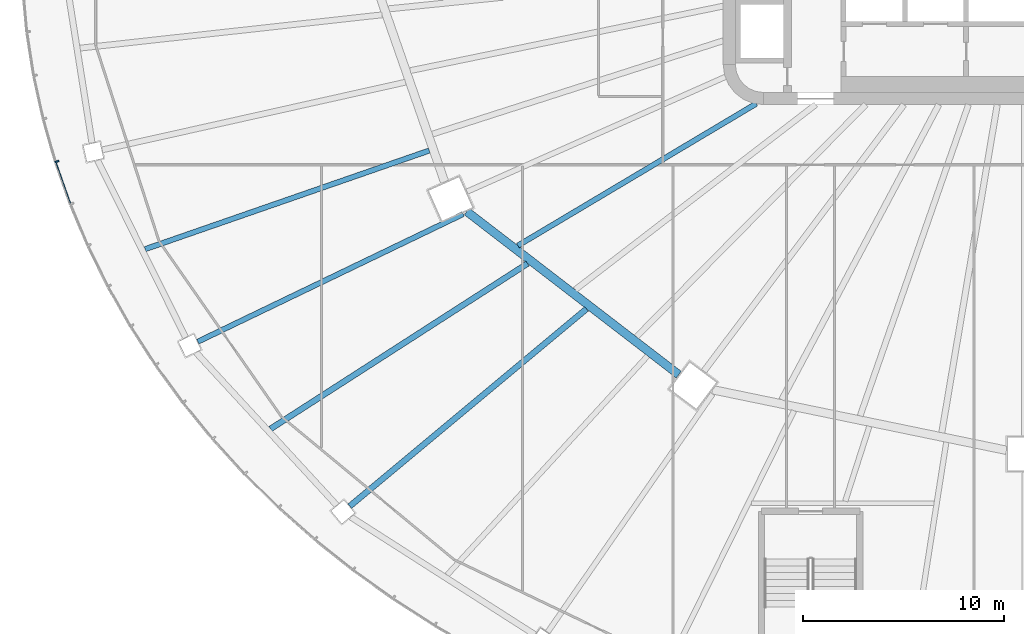
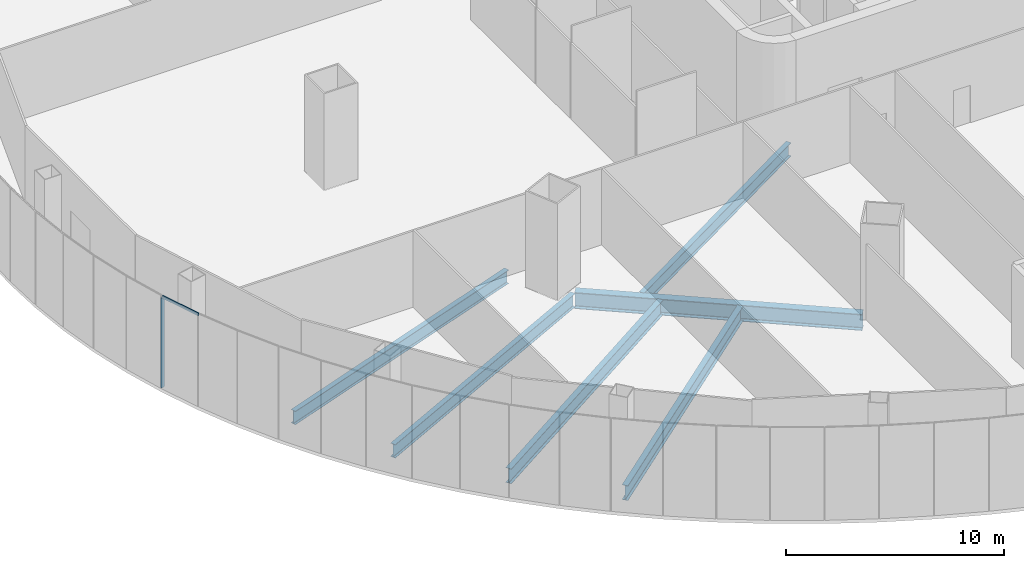
# One storey, part 3 of 42: 6 beams, 2 members, 1 element without a shape of its own.
"""IFC4 building model written with IfcOpenShell, lengths in metres."""

from ifc_helpers import new_model, si_unit, direction, frame, origin, origin_2d, place, context, subcontext, project, spatial, rectangle, i_section, extrude, material, layer, layer_set, material_profile, profile_set, type_object, element, aggregate, save


model = new_model("IFC4")

# Units and contexts
model_context = context("Model", 3, precision=1e-05, world=origin(), true_north=direction((0.0, 1.0)))
body_context = subcontext(model_context, "Body", "Model", "MODEL_VIEW")
ifc_project = project(units=[si_unit("LENGTHUNIT", "METRE"), si_unit("AREAUNIT", "SQUARE_METRE"), si_unit("VOLUMEUNIT", "CUBIC_METRE"), si_unit("PLANEANGLEUNIT", "RADIAN"), si_unit("MASSUNIT", "GRAM", prefix="KILO")], contexts=[model_context])

# Site, building, storey
site_placement = place(None, origin())
site = spatial("IfcSite", under=ifc_project, at=site_placement, CompositionType="ELEMENT")
building_placement = place(site_placement, origin())
building = spatial("IfcBuilding", under=site, at=building_placement, Name="Sahrelin Media Tower", CompositionType="ELEMENT")
storey_placement = place(building_placement, frame((0.0, 0.0, 26.0)))
storey = spatial("IfcBuildingStorey", under=building, at=storey_placement, Name="L03", CompositionType="ELEMENT", Elevation=26.0)

# Curtain wall, member
ifc_material_1 = material(Name="Champagne anodised aluminium 6063-T6", Category="aluminium")
ifc_layer = layer(ifc_material_1, 0.14990234375)
ifc_layer_set = layer_set([ifc_layer], Name="Podium ribbon curtain wall")
curtain_wall_type = type_object("IfcCurtainWallType", Name="Podium ribbon curtain wall", PredefinedType="NOTDEFINED", material=ifc_layer_set)
curtain_wall_placement = place(storey_placement, frame((-48.29638671875, -10.870361328125, 0.0), z_axis=(0.0, 0.0, 1.0), x_axis=(1.0, 0.0, 0.0)))
curtain_wall = element("IfcCurtainWall", 1, at=curtain_wall_placement, inside=storey, type_object=curtain_wall_type, Name="L03:CW:L03-P13", PredefinedType="NOTDEFINED")
ifc_material_profile_1 = material_profile(ifc_material_1, rectangle(XDim=0.080078125, YDim=0.199951171875, at=origin_2d()), Name="Mullion 80x200")
ifc_profile_set_1 = profile_set([ifc_material_profile_1], Name="Champagne anodised aluminium 6063-T6")
member_type_1 = type_object("IfcMemberType", Name="Mullion 80x200 CW5", PredefinedType="MULLION", material=ifc_profile_set_1)
member_1_placement = place(storey_placement, frame((-48.18310546875, -10.83056640625, 0.0), z_axis=(0.0, 0.0, 1.0), x_axis=(0.332579242691, -0.943075313711, 0.0)))
member_1 = element("IfcMember", 2, at=member_1_placement, type_object=member_type_1, Name="L03:CWM1:L03-P13", PredefinedType="MULLION", context=body_context, shape_type="SweptSolid", body=[
    extrude(rectangle(XDim=0.080078125, YDim=0.199951171875, at=origin_2d()), origin(), (0.0, 0.0, 1.0), 5.050048828125),
])

# Beams
ifc_material_2 = material(Name="Steel S355", Category="steel")
ifc_material_profile_2 = material_profile(ifc_material_2, i_section(OverallWidth=0.41845703125, OverallDepth=0.911865234375, WebThickness=0.019287109375, FlangeThickness=0.031982421875, FilletRadius=0.024169921875, at=origin_2d()), Name="UB 914x419x343")
ifc_profile_set_2 = profile_set([ifc_material_profile_2], Name="Steel S355")
beam_type_1 = type_object("IfcBeamType", Name="Podium ring girder PG12", PredefinedType="BEAM", material=ifc_profile_set_2)
beam_1_placement = place(storey_placement, frame((-27.767578125, -13.324462890625, -0.656005859375), z_axis=(0.792445416108, -0.609942835428, 0.0), x_axis=(0.609942835428, 0.792445416108, 0.0)))
element("IfcBeam", 3, at=beam_1_placement, inside=storey, type_object=beam_type_1, Name="Podium girder L03-08", PredefinedType="BEAM", context=body_context, shape_type="SweptSolid", body=[
    extrude(i_section(OverallWidth=0.41845703125, OverallDepth=0.911865234375, WebThickness=0.019287109375, FlangeThickness=0.031982421875, FilletRadius=0.024169921875, at=origin_2d()), origin(), (0.0, 0.0, 1.0), 13.318603515625),
])
ifc_material_profile_3 = material_profile(ifc_material_2, i_section(OverallWidth=0.291748046875, OverallDepth=0.8349609375, WebThickness=0.013916015625, FlangeThickness=0.018798828125, FilletRadius=0.017822265625, at=origin_2d()), Name="UB 838x292x176")
ifc_profile_set_3 = profile_set([ifc_material_profile_3], Name="Steel S355")
beam_type_2 = type_object("IfcBeamType", Name="Radial primary beam PB10", PredefinedType="BEAM", material=ifc_profile_set_3)
beam_2_placement = place(storey_placement, frame((-21.809326171875, -18.174560546875, -0.617431640625), z_axis=(-0.768229105739, -0.640175008178, 0.0), x_axis=(0.640175008178, -0.768229105739, 0.0)))
element("IfcBeam", 4, at=beam_2_placement, inside=storey, type_object=beam_type_2, Name="Radial beam L03-18", PredefinedType="BEAM", context=body_context, shape_type="SweptSolid", body=[
    extrude(i_section(OverallWidth=0.291748046875, OverallDepth=0.8349609375, WebThickness=0.013916015625, FlangeThickness=0.018798828125, FilletRadius=0.017822265625, at=origin_2d()), origin(), (0.0, 0.0, 1.0), 15.342041015625),
])
ifc_material_profile_4 = material_profile(ifc_material_2, i_section(OverallWidth=0.26513671875, OverallDepth=0.75390625, WebThickness=0.0126953125, FlangeThickness=0.017578125, FilletRadius=0.0166015625, at=origin_2d()), Name="UB 762x267x147")
ifc_profile_set_4 = profile_set([ifc_material_profile_4], Name="Steel S355")
beam_type_3 = type_object("IfcBeamType", Name="Radial primary beam PB9", PredefinedType="BEAM", material=ifc_profile_set_4)
beam_3_placement = place(storey_placement, frame((-27.950439453125, -13.44775390625, -0.576904296875), z_axis=(-0.901130102072, -0.433548773657, 0.0), x_axis=(0.433548773657, -0.901130102072, 0.0)))
element("IfcBeam", 5, at=beam_3_placement, inside=storey, type_object=beam_type_3, Name="Radial beam L03-17", PredefinedType="BEAM", context=body_context, shape_type="SweptSolid", body=[
    extrude(i_section(OverallWidth=0.26513671875, OverallDepth=0.75390625, WebThickness=0.0126953125, FlangeThickness=0.017578125, FilletRadius=0.0166015625, at=origin_2d()), origin(), (0.0, 0.0, 1.0), 14.6630859375),
])
ifc_material_profile_5 = material_profile(ifc_material_2, i_section(OverallWidth=0.291748046875, OverallDepth=0.8349609375, WebThickness=0.013916015625, FlangeThickness=0.018798828125, FilletRadius=0.017822265625, at=origin_2d()), Name="UB 838x292x176")
ifc_profile_set_5 = profile_set([ifc_material_profile_5], Name="Steel S355")
beam_type_4 = type_object("IfcBeamType", Name="Radial secondary beam SB10", PredefinedType="BEAM", material=ifc_profile_set_5)
beam_4_placement = place(storey_placement, frame((-24.744140625, -15.91552734375, -0.617431640625), z_axis=(-0.84104292767, -0.540968385228, 0.0), x_axis=(0.540968385228, -0.84104292767, 0.0)))
element("IfcBeam", 6, at=beam_4_placement, inside=storey, type_object=beam_type_4, Name="Secondary beam L03-15", PredefinedType="BEAM", context=body_context, shape_type="SweptSolid", body=[
    extrude(i_section(OverallWidth=0.291748046875, OverallDepth=0.8349609375, WebThickness=0.013916015625, FlangeThickness=0.018798828125, FilletRadius=0.017822265625, at=origin_2d()), origin(), (0.0, 0.0, 1.0), 15.218505859375),
])
ifc_material_profile_6 = material_profile(ifc_material_2, i_section(OverallWidth=0.26513671875, OverallDepth=0.75390625, WebThickness=0.0126953125, FlangeThickness=0.017578125, FilletRadius=0.0166015625, at=origin_2d()), Name="UB 762x267x147")
ifc_profile_set_6 = profile_set([ifc_material_profile_6], Name="Steel S355")
beam_type_5 = type_object("IfcBeamType", Name="Radial secondary beam SB9", PredefinedType="BEAM", material=ifc_profile_set_6)
beam_5_placement = place(storey_placement, frame((-13.356201171875, -7.953125, -0.576904296875), z_axis=(-0.859199265621, -0.511641106594, 0.0), x_axis=(0.511641106594, -0.859199265621, 0.0)))
element("IfcBeam", 7, at=beam_5_placement, inside=storey, type_object=beam_type_5, Name="Secondary beam L03-15", PredefinedType="BEAM", context=body_context, shape_type="SweptSolid", body=[
    extrude(i_section(OverallWidth=0.26513671875, OverallDepth=0.75390625, WebThickness=0.0126953125, FlangeThickness=0.017578125, FilletRadius=0.0166015625, at=origin_2d()), origin(), (0.0, 0.0, 1.0), 13.810791015625),
])
beam_6_placement = place(storey_placement, frame((-29.640380859375, -10.287109375, -0.576904296875), z_axis=(-0.944713020182, -0.32789832189, 0.0), x_axis=(0.32789832189, -0.944713020182, 0.0)))
element("IfcBeam", 8, at=beam_6_placement, inside=storey, type_object=beam_type_5, Name="Secondary beam L03-14", PredefinedType="BEAM", context=body_context, shape_type="SweptSolid", body=[
    extrude(i_section(OverallWidth=0.26513671875, OverallDepth=0.75390625, WebThickness=0.0126953125, FlangeThickness=0.017578125, FilletRadius=0.0166015625, at=origin_2d()), origin(), (0.0, 0.0, 1.0), 14.974609375),
])

# Member
ifc_material_profile_7 = material_profile(ifc_material_1, rectangle(XDim=0.06005859375, YDim=0.14990234375, at=origin_2d()), Name="Transom 60x150")
ifc_profile_set_7 = profile_set([ifc_material_profile_7], Name="Champagne anodised aluminium 6063-T6")
member_type_2 = type_object("IfcMemberType", Name="Transom 60x150 CW5", PredefinedType="USERDEFINED", material=ifc_profile_set_7)
member_2_placement = place(storey_placement, frame((-48.232421875, -10.90087890625, 5.125), z_axis=(0.332533804203, -0.943091336543, 0.0), x_axis=(0.943091336543, 0.332533804203, 0.0)))
member_2 = element("IfcMember", 9, at=member_2_placement, type_object=member_type_2, Name="L03:CWT1a:L03-P13", ObjectType="TRANSOM", PredefinedType="USERDEFINED", context=body_context, shape_type="SweptSolid", body=[
    extrude(rectangle(XDim=0.06005859375, YDim=0.14990234375, at=origin_2d()), origin(), (0.0, 0.0, 1.0), 2.185546875),
])

aggregate(curtain_wall, [member_1, member_2])

save(model, "model.ifc")
